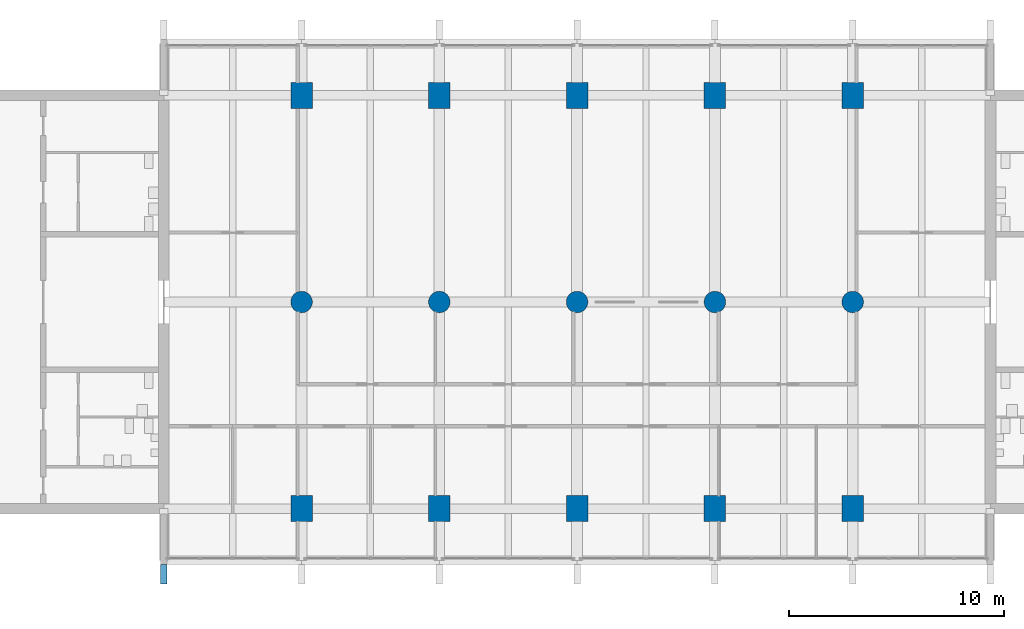
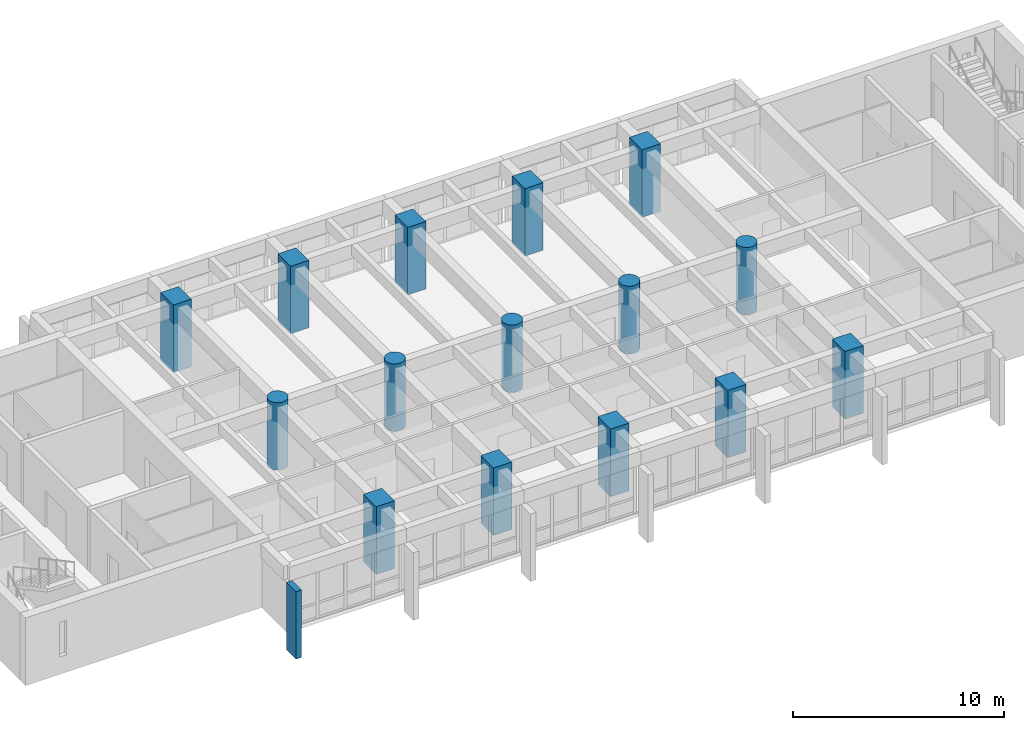
# One storey, part 1 of 15: 15 columns, 1 member.
"""IFC4 building model written with IfcOpenShell, lengths in metres."""

from ifc_helpers import new_model, si_unit, direction, frame, origin, origin_2d, place, context, subcontext, project, spatial, rectangle, circle, extrude, material, material_profile, profile_set, type_object, element, save


model = new_model("IFC4")

# Units and contexts
model_context = context("Model", 3, precision=1e-05, world=origin(), true_north=direction((0.0, 1.0)))
body_context = subcontext(model_context, "Body", "Model", "MODEL_VIEW")
ifc_project = project(units=[si_unit("LENGTHUNIT", "METRE"), si_unit("AREAUNIT", "SQUARE_METRE"), si_unit("VOLUMEUNIT", "CUBIC_METRE"), si_unit("PLANEANGLEUNIT", "RADIAN"), si_unit("MASSUNIT", "GRAM", prefix="KILO")], contexts=[model_context])

# Site, building, storey
site_placement = place(None, origin())
site = spatial("IfcSite", under=ifc_project, at=site_placement, CompositionType="ELEMENT")
building_placement = place(site_placement, origin())
building = spatial("IfcBuilding", under=site, at=building_placement, Name="Fogon Plaza Fire Station and Headquarters Tower", CompositionType="ELEMENT")
storey_placement = place(building_placement, frame((0.0, 0.0, 28.800048828125)))
storey = spatial("IfcBuildingStorey", under=building, at=storey_placement, Name="L07", CompositionType="ELEMENT", Elevation=28.800048828125)

# Columns
ifc_material_1 = material(Name="Concrete C40", Category="concrete")
ifc_material_profile_1 = material_profile(ifc_material_1, rectangle(XDim=1.0, YDim=1.199951171875, at=origin_2d()), Name="RC 1000x1200")
ifc_profile_set_1 = profile_set([ifc_material_profile_1], Name="Concrete C40")
column_type_1 = type_object("IfcColumnType", Name="COLUMN RC 1000x1200", PredefinedType="COLUMN", material=ifc_profile_set_1)
for number, where, z_axis, x_axis, name in (
    (1, (32.0, 33.60009765625, 0.0), (0.0, 0.0, 1.0), (1.0, 0.0, 0.0), "col-L07-4E"),
    (2, (32.0, 52.800048828125, 0.0), (0.0, 0.0, 1.0), (1.0, 0.0, 0.0), "col-L07-4G"),
    (3, (38.39990234375, 33.60009765625, 0.0), (0.0, 0.0, 1.0), (1.0, 0.0, 0.0), "col-L07-5E"),
    (4, (38.39990234375, 52.800048828125, 0.0), (0.0, 0.0, 1.0), (1.0, 0.0, 0.0), "col-L07-5G"),
    (5, (44.800048828125, 33.60009765625, 0.0), (0.0, 0.0, 1.0), (1.0, 0.0, 0.0), "col-L07-6E"),
    (6, (44.800048828125, 52.800048828125, 0.0), (0.0, 0.0, 1.0), (1.0, 0.0, 0.0), "col-L07-6G"),
    (7, (51.199951171875, 33.60009765625, 0.0), (0.0, 0.0, 1.0), (1.0, 0.0, 0.0), "col-L07-7E"),
    (8, (51.199951171875, 52.800048828125, 0.0), (0.0, 0.0, 1.0), (1.0, 0.0, 0.0), "col-L07-7G"),
    (9, (57.60009765625, 33.60009765625, 0.0), (0.0, 0.0, 1.0), (1.0, 0.0, 0.0), "col-L07-8E"),
    (10, (57.60009765625, 52.800048828125, 0.0), (0.0, 0.0, 1.0), (1.0, 0.0, 0.0), "col-L07-8G"),
):
    element("IfcColumn", number, at=place(storey_placement, frame(where, z_axis=z_axis, x_axis=x_axis)), inside=storey, type_object=column_type_1, Name=name, PredefinedType="COLUMN", context=body_context, shape_type="SweptSolid", body=[
        extrude(rectangle(XDim=1.0, YDim=1.199951171875, at=origin_2d()), origin(), (0.0, 0.0, 1.0), 3.89990234375),
    ])
ifc_material_2 = material(Name="Concrete C40", Category="concrete")
ifc_material_profile_2 = material_profile(ifc_material_2, circle(Radius=0.5, at=origin_2d()), Name="RC D1000")
ifc_profile_set_2 = profile_set([ifc_material_profile_2], Name="Concrete C40")
column_type_2 = type_object("IfcColumnType", Name="COLUMN RC D1000", PredefinedType="COLUMN", material=ifc_profile_set_2)
for number, where, z_axis, x_axis, name in (
    (11, (32.0, 43.199951171875, 0.0), (0.0, 0.0, 1.0), (1.0, 0.0, 0.0), "col-L07-4F"),
    (12, (38.39990234375, 43.199951171875, 0.0), (0.0, 0.0, 1.0), (1.0, 0.0, 0.0), "col-L07-5F"),
    (13, (44.800048828125, 43.199951171875, 0.0), (0.0, 0.0, 1.0), (1.0, 0.0, 0.0), "col-L07-6F"),
    (14, (51.199951171875, 43.199951171875, 0.0), (0.0, 0.0, 1.0), (1.0, 0.0, 0.0), "col-L07-7F"),
    (15, (57.60009765625, 43.199951171875, 0.0), (0.0, 0.0, 1.0), (1.0, 0.0, 0.0), "col-L07-8F"),
):
    element("IfcColumn", number, at=place(storey_placement, frame(where, z_axis=z_axis, x_axis=x_axis)), inside=storey, type_object=column_type_2, Name=name, PredefinedType="COLUMN", context=body_context, shape_type="SweptSolid", body=[
        extrude(circle(Radius=0.5, at=origin_2d()), origin(), (0.0, 0.0, 1.0), 3.89990234375),
    ])

# Member
ifc_material_3 = material(Name="Concrete C40 precast", Category="concrete")
ifc_material_profile_3 = material_profile(ifc_material_3, rectangle(XDim=0.300048828125, YDim=0.89990234375, at=origin_2d()), Name="Precast Concrete Post 300x900")
ifc_profile_set_3 = profile_set([ifc_material_profile_3], Name="Concrete C40 precast")
member_type = type_object("IfcMemberType", Name="Precast Concrete Post 300x900", PredefinedType="POST", material=ifc_profile_set_3)
member_placement = place(storey_placement, frame((25.60009765625, 30.550048828125, -1.02001953125), z_axis=(0.0, 0.0, 1.0), x_axis=(1.0, 0.0, 0.0)))
element("IfcMember", 16, at=member_placement, inside=storey, type_object=member_type, Name="Precast Post S L07", PredefinedType="POST", context=body_context, shape_type="SweptSolid", body=[
    extrude(rectangle(XDim=0.300048828125, YDim=0.89990234375, at=origin_2d()), origin(), (0.0, 0.0, 1.0), 3.89990234375),
])

save(model, "model.ifc")
